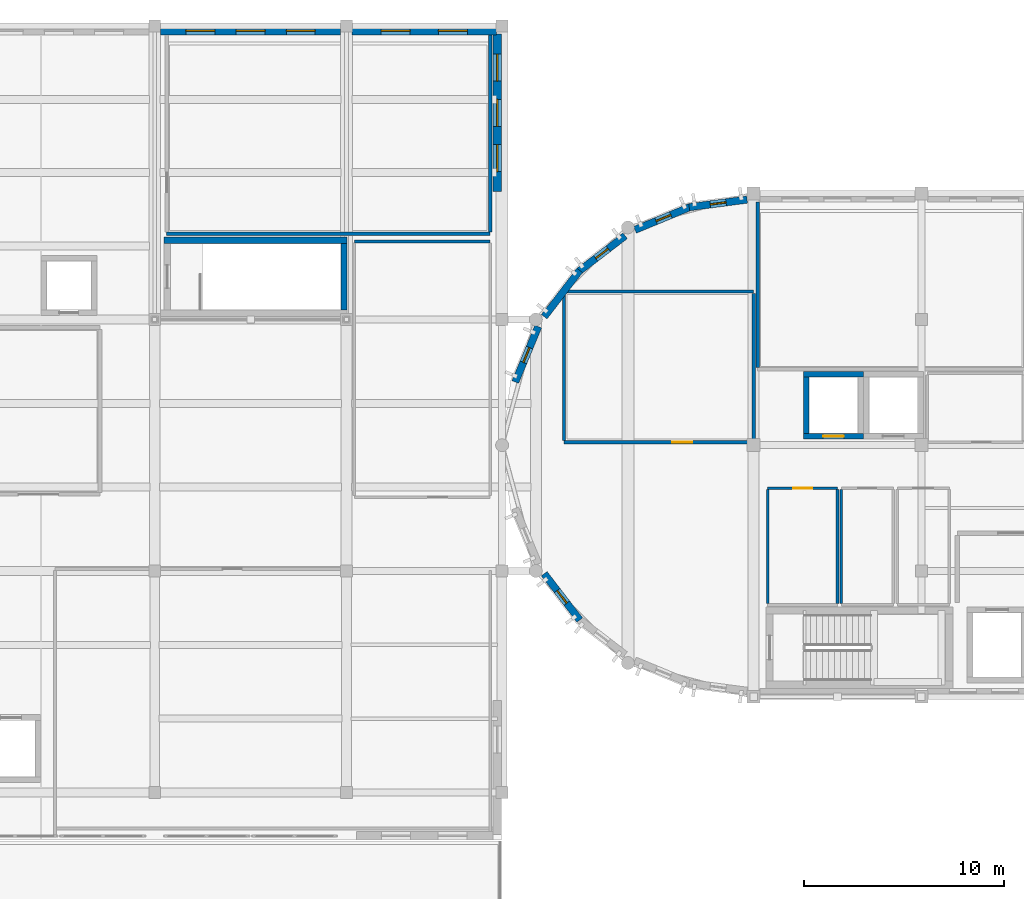
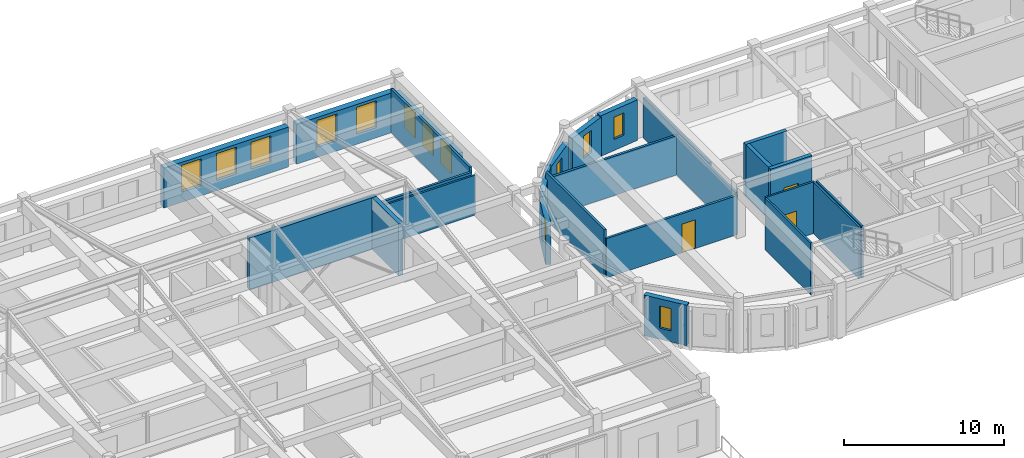
# One storey, part 16 of 29: 26 walls, 13 windows, 3 doors, 16 openings.
"""IFC4 building model written with IfcOpenShell, lengths in metres."""

from ifc_helpers import new_model, si_unit, direction, frame, frame_2d, origin, place, context, subcontext, project, spatial, rectangle, extrude, material, layer, layer_set, type_object, element, fill, save


model = new_model("IFC4")

# Units and contexts
model_context = context("Model", 3, precision=1e-05, world=origin(), true_north=direction((0.0, 1.0)))
body_context = subcontext(model_context, "Body", "Model", "MODEL_VIEW")
ifc_project = project(units=[si_unit("LENGTHUNIT", "METRE"), si_unit("AREAUNIT", "SQUARE_METRE"), si_unit("VOLUMEUNIT", "CUBIC_METRE"), si_unit("PLANEANGLEUNIT", "RADIAN"), si_unit("MASSUNIT", "GRAM", prefix="KILO")], contexts=[model_context])

# Site, building, storey
site_placement = place(None, origin())
site = spatial("IfcSite", under=ifc_project, at=site_placement, CompositionType="ELEMENT")
building_placement = place(site_placement, origin())
building = spatial("IfcBuilding", under=site, at=building_placement, Name="Tarnavel Promenade Courthouse", CompositionType="ELEMENT")
storey_placement = place(building_placement, frame((0.0, 0.0, 22.800048828125)))
storey = spatial("IfcBuildingStorey", under=building, at=storey_placement, Name="L06", CompositionType="ELEMENT", Elevation=22.800048828125)

# Walls
ifc_material_1 = material(Name="Acoustic Insulated Gypsum Stud Partition", Category="gypsum")
ifc_layer_1 = layer(ifc_material_1, 0.1650390625)
ifc_layer_set_1 = layer_set([ifc_layer_1], Name="Acoustic Insulated Gypsum Stud Partition")
wall_type_1 = type_object("IfcWallType", Name="Acoustic Insulated Gypsum Stud Partition WL-CHM-165 (165 mm)", PredefinedType="PARTITIONING", material=ifc_layer_set_1)
wall_1_placement = place(storey_placement, frame((45.60009765625, 102.39990234375, 0.0), z_axis=(0.0, 0.0, 1.0), x_axis=(-1.0, 0.0, 0.0)))
element("IfcWall", 1, at=wall_1_placement, inside=storey, type_object=wall_type_1, Name="L06 Judges' Chambers West Suite Partition 0787", PredefinedType="PARTITIONING", context=body_context, shape_type="SweptSolid", body=[
    extrude(rectangle(XDim=16.2001953125, YDim=0.1650390625, at=frame_2d((8.10009765625, 0.0))), origin(), (0.0, 0.0, 1.0), 3.050048828125),
])
wall_2_placement = place(storey_placement, frame((45.60009765625, 112.345947265625, 0.0), z_axis=(0.0, 0.0, 1.0), x_axis=(0.0, -1.0, 0.0)))
element("IfcWall", 2, at=wall_2_placement, inside=storey, type_object=wall_type_1, Name="L06 Judges' Chambers West Suite Partition 0789", PredefinedType="PARTITIONING", context=body_context, shape_type="SweptSolid", body=[
    extrude(rectangle(XDim=9.853515625, YDim=0.1650390625, at=frame_2d((4.9267578125, 0.0))), origin(), (0.0, 0.0, 1.0), 3.349853515625),
])
wall_3_placement = place(storey_placement, frame((59.0, 95.6923828125, 0.0), z_axis=(0.0, 0.0, 1.0), x_axis=(0.0, 1.0, 0.0)))
element("IfcWall", 3, at=wall_3_placement, inside=storey, type_object=wall_type_1, Name="L06 Judges' Chambers L06 Suite A Partition 0802", PredefinedType="PARTITIONING", context=body_context, shape_type="SweptSolid", body=[
    extrude(rectangle(XDim=8.28857421875, YDim=0.1650390625, at=frame_2d((4.144287109375, 0.0))), origin(), (0.0, 0.0, 1.0), 3.099853515625),
])
wall_4_placement = place(storey_placement, frame((49.300048828125, 99.5, 0.0), z_axis=(0.0, 0.0, 1.0), x_axis=(1.0, 0.0, 0.0)))
element("IfcWall", 4, at=wall_4_placement, inside=storey, type_object=wall_type_1, Name="L06 L06 West Drum Rotunda Chambers North Partition 0830", PredefinedType="PARTITIONING", context=body_context, shape_type="SweptSolid", body=[
    extrude(rectangle(XDim=9.5, YDim=0.1650390625, at=frame_2d((4.75, 0.0))), origin(), (0.0, 0.0, 1.0), 3.0),
])

# Wall, opening, door
wall_5_placement = place(storey_placement, frame((58.800048828125, 91.949951171875, 0.0), z_axis=(0.0, 0.0, 1.0), x_axis=(-1.0, 0.0, 0.0)))
wall_5 = element("IfcWall", 5, at=wall_5_placement, inside=storey, type_object=wall_type_1, Name="L06 L06 West Drum Rotunda Chambers North Partition 0831", PredefinedType="PARTITIONING", context=body_context, shape_type="SweptSolid", body=[
    extrude(rectangle(XDim=9.5, YDim=0.1650390625, at=frame_2d((4.75, 0.0))), origin(), (0.0, 0.0, 1.0), 3.0),
])
opening_1_placement = place(wall_5_placement, frame((3.0869140625, 0.0, 0.0)))
opening_1 = element("IfcOpeningElement", 6, at=opening_1_placement, cuts=wall_5, Name="Opening ID-04", PredefinedType="OPENING", context=body_context, shape_type="SweptSolid", body=[
    extrude(rectangle(XDim=0.97998046875, YDim=2.199951171875, at=frame_2d((0.489990234375, 1.10009765625))), frame((0.0, 0.092529296875, 0.0), z_axis=(0.0, -1.0, 0.0), x_axis=(1.0, 0.0, 0.0)), (0.0, 0.0, 1.0), 0.18505859375),
])
ifc_material_2 = material(Name="Solid Oak Judges Chambers Door")
door_type_1 = type_object("IfcDoorType", Name="Solid Oak Judges Chambers Door (DR-CHM-0980x2200)", OperationType="NOTDEFINED", PredefinedType="DOOR", material=ifc_material_2)
door_1_placement = place(opening_1_placement, origin())
door_1 = element("IfcDoor", 7, at=door_1_placement, inside=storey, type_object=door_type_1, Name="L06 L06 West Drum Rotunda Chambers North Door 0238", OperationType="SINGLE_SWING_LEFT", OverallHeight=2.199951171875, OverallWidth=0.97998046875, PredefinedType="DOOR", context=body_context, shape_type="SweptSolid", body=[
    extrude(rectangle(XDim=0.97998046875, YDim=2.199951171875, at=frame_2d((0.489990234375, 1.10009765625))), frame((0.0, 0.02490234375, 0.0), z_axis=(0.0, -1.0, 0.0), x_axis=(1.0, 0.0, 0.0)), (0.0, 0.0, 1.0), 0.050048828125),
])
fill(opening_1, door_1)

# Walls
wall_6_placement = place(storey_placement, frame((49.300048828125, 92.04248046875, 0.0), z_axis=(0.0, 0.0, 1.0), x_axis=(0.0, 1.0, 0.0)))
element("IfcWall", 8, at=wall_6_placement, inside=storey, type_object=wall_type_1, Name="L06 L06 West Drum Rotunda Chambers North Partition 0832", PredefinedType="PARTITIONING", context=body_context, shape_type="SweptSolid", body=[
    extrude(rectangle(XDim=7.364990234375, YDim=0.1650390625, at=frame_2d((3.6826171875, 0.0))), origin(), (0.0, 0.0, 1.0), 3.599853515625),
])
wall_7_placement = place(storey_placement, frame((58.800048828125, 99.407470703125, 0.0), z_axis=(0.0, 0.0, 1.0), x_axis=(0.0, -1.0, 0.0)))
element("IfcWall", 9, at=wall_7_placement, inside=storey, type_object=wall_type_1, Name="L06 L06 West Drum Rotunda Chambers North Partition 0833", PredefinedType="PARTITIONING", context=body_context, shape_type="SweptSolid", body=[
    extrude(rectangle(XDim=7.364990234375, YDim=0.1650390625, at=frame_2d((3.6826171875, 0.0))), origin(), (0.0, 0.0, 1.0), 3.099853515625),
])
ifc_material_3 = material(Name="Concrete C40/50", Category="concrete")
ifc_layer_2 = layer(ifc_material_3, 0.280029296875)
ifc_layer_set_2 = layer_set([ifc_layer_2], Name="Concrete C40/50")
wall_type_2 = type_object("IfcWallType", Name="Concrete C40/50 WL-SHR-280 (280 mm)", PredefinedType="SHEAR", material=ifc_layer_set_2)
wall_8_placement = place(storey_placement, frame((61.300048828125, 95.360107421875, 0.0), z_axis=(0.0, 0.0, 1.0), x_axis=(1.0, 0.0, 0.0)))
element("IfcWall", 10, at=wall_8_placement, inside=storey, type_object=wall_type_2, Name="L06 L-PUB1 Lift Shaft North Wall", PredefinedType="SHEAR", context=body_context, shape_type="SweptSolid", body=[
    extrude(rectangle(XDim=3.0, YDim=0.280029296875, at=frame_2d((1.5, 0.0))), origin(), (0.0, 0.0, 1.0), 3.969970703125),
])

# Wall, opening, door
wall_9_placement = place(storey_placement, frame((64.300048828125, 92.239990234375, 0.0), z_axis=(0.0, 0.0, 1.0), x_axis=(-1.0, 0.0, 0.0)))
wall_9 = element("IfcWall", 11, at=wall_9_placement, inside=storey, type_object=wall_type_2, Name="L06 L-PUB1 Lift Shaft South Wall", PredefinedType="SHEAR", context=body_context, shape_type="SweptSolid", body=[
    extrude(rectangle(XDim=3.0, YDim=0.280029296875, at=frame_2d((1.5, 0.0))), origin(), (0.0, 0.0, 1.0), 3.969970703125),
])
opening_2_placement = place(wall_9_placement, frame((0.97509765625, 0.0, 0.0)))
opening_2 = element("IfcOpeningElement", 12, at=opening_2_placement, cuts=wall_9, Name="Opening LD-02", PredefinedType="OPENING", context=body_context, shape_type="SweptSolid", body=[
    extrude(rectangle(XDim=1.050048828125, YDim=2.199951171875, at=frame_2d((0.52490234375, 1.10009765625))), frame((0.0, 0.14990234375, 0.0), z_axis=(0.0, -1.0, 0.0), x_axis=(1.0, 0.0, 0.0)), (0.0, 0.0, 1.0), 0.300048828125),
])
ifc_material_4 = material(Name="Brushed Bronze Passenger Lift Landing Sliding Door")
door_type_2 = type_object("IfcDoorType", Name="Brushed Bronze Passenger Lift Landing Sliding Door (LD-PUB-1050x2200)", OperationType="NOTDEFINED", PredefinedType="DOOR", material=ifc_material_4)
door_2_placement = place(opening_2_placement, origin())
door_2 = element("IfcDoor", 13, at=door_2_placement, inside=storey, type_object=door_type_2, Name="L06 L-PUB1 Lift Sliding Landing Door", OperationType="DOUBLE_DOOR_SLIDING", OverallHeight=2.199951171875, OverallWidth=1.050048828125, PredefinedType="DOOR", context=body_context, shape_type="SweptSolid", body=[
    extrude(rectangle(XDim=1.050048828125, YDim=2.199951171875, at=frame_2d((0.52490234375, 1.10009765625))), frame((0.0, 0.02490234375, 0.0), z_axis=(0.0, -1.0, 0.0), x_axis=(1.0, 0.0, 0.0)), (0.0, 0.0, 1.0), 0.050048828125),
])
fill(opening_2, door_2)

# Walls
wall_10_placement = place(storey_placement, frame((61.43994140625, 92.3798828125, 0.0), z_axis=(0.0, 0.0, 1.0), x_axis=(0.0, 1.0, 0.0)))
element("IfcWall", 14, at=wall_10_placement, inside=storey, type_object=wall_type_2, Name="L06 L-PUB1 Lift Shaft West Wall", PredefinedType="SHEAR", context=body_context, shape_type="SweptSolid", body=[
    extrude(rectangle(XDim=2.840087890625, YDim=0.280029296875, at=frame_2d((1.419921875, 0.0))), origin(), (0.0, 0.0, 1.0), 3.969970703125),
])
ifc_layer_3 = layer(ifc_material_3, 0.320068359375)
ifc_layer_set_3 = layer_set([ifc_layer_3], Name="Concrete C40/50")
wall_type_3 = type_object("IfcWallType", Name="Concrete C40/50 WL-SHR-320 (320 mm)", PredefinedType="SHEAR", material=ifc_layer_set_3)
wall_11_placement = place(storey_placement, frame((29.260009765625, 102.06005859375, 0.0), z_axis=(0.0, 0.0, 1.0), x_axis=(1.0, 0.0, 0.0)))
element("IfcWall", 15, at=wall_11_placement, inside=storey, type_object=wall_type_3, Name="L06 ST-07 Shear Core North Wall", PredefinedType="SHEAR", context=body_context, shape_type="SweptSolid", body=[
    extrude(rectangle(XDim=9.179931640625, YDim=0.320068359375, at=frame_2d((4.58984375, 0.0))), origin(), (0.0, 0.0, 1.0), 3.969970703125),
])
wall_12_placement = place(storey_placement, frame((38.280029296875, 101.89990234375, 0.0), z_axis=(0.0, 0.0, 1.0), x_axis=(0.0, -1.0, 0.0)))
element("IfcWall", 16, at=wall_12_placement, inside=storey, type_object=wall_type_3, Name="L06 ST-07 Shear Core East Wall", PredefinedType="SHEAR", context=body_context, shape_type="SweptSolid", body=[
    extrude(rectangle(XDim=3.31982421875, YDim=0.320068359375, at=frame_2d((1.659912109375, 0.0))), origin(), (0.0, 0.0, 1.0), 3.969970703125),
])

# Wall, openings, windows
ifc_material_5 = material(Name="Limestone Ashlar Faced Insulated Brick Masonry", Category="masonry")
ifc_layer_4 = layer(ifc_material_5, 0.43994140625)
ifc_layer_set_4 = layer_set([ifc_layer_4], Name="Limestone Ashlar Faced Insulated Brick Masonry")
wall_type_4 = type_object("IfcWallType", Name="Limestone Ashlar Faced Insulated Brick Masonry WL-EXT-440 (440 mm)", PredefinedType="STANDARD", material=ifc_layer_set_4)
wall_13_placement = place(storey_placement, frame((29.092041015625, 112.56005859375, 0.0), z_axis=(0.0, 0.0, 1.0), x_axis=(1.0, 0.0, 0.0)))
wall_13 = element("IfcWall", 17, at=wall_13_placement, inside=storey, type_object=wall_type_4, Name="L06 Trial Wing North Ashlar Facade 0330", PredefinedType="STANDARD", context=body_context, shape_type="SweptSolid", body=[
    extrude(rectangle(XDim=9.015869140625, YDim=0.43994140625, at=frame_2d((4.5078125, 0.0))), origin(), (0.0, 0.0, 1.0), 3.050048828125),
])
opening_3_placement = place(wall_13_placement, frame((1.269775390625, 0.0, 0.780029296875)))
opening_3 = element("IfcOpeningElement", 18, at=opening_3_placement, cuts=wall_13, Name="Opening W-03", PredefinedType="OPENING", context=body_context, shape_type="SweptSolid", body=[
    extrude(rectangle(XDim=1.449951171875, YDim=2.050048828125, at=frame_2d((0.72509765625, 1.02490234375))), frame((0.0, 0.22998046875, 0.0), z_axis=(0.0, -1.0, 0.0), x_axis=(1.0, 0.0, 0.0)), (0.0, 0.0, 1.0), 0.4599609375),
])
opening_4_placement = place(wall_13_placement, frame((3.782958984375, 0.0, 0.780029296875)))
opening_4 = element("IfcOpeningElement", 19, at=opening_4_placement, cuts=wall_13, Name="Opening W-03", PredefinedType="OPENING", context=body_context, shape_type="SweptSolid", body=[
    extrude(rectangle(XDim=1.449951171875, YDim=2.050048828125, at=frame_2d((0.72509765625, 1.02490234375))), frame((0.0, 0.22998046875, 0.0), z_axis=(0.0, -1.0, 0.0), x_axis=(1.0, 0.0, 0.0)), (0.0, 0.0, 1.0), 0.4599609375),
])
opening_5_placement = place(wall_13_placement, frame((6.29638671875, 0.0, 0.780029296875)))
opening_5 = element("IfcOpeningElement", 20, at=opening_5_placement, cuts=wall_13, Name="Opening W-03", PredefinedType="OPENING", context=body_context, shape_type="SweptSolid", body=[
    extrude(rectangle(XDim=1.449951171875, YDim=2.050048828125, at=frame_2d((0.72509765625, 1.02490234375))), frame((0.0, 0.22998046875, 0.0), z_axis=(0.0, -1.0, 0.0), x_axis=(1.0, 0.0, 0.0)), (0.0, 0.0, 1.0), 0.4599609375),
])
ifc_material_6 = material(Name="Triple Low-E Glazed Bronze-Clad Window Assembly")
window_type_1 = type_object("IfcWindowType", Name="Triple-Glazed Bronze-Clad Timber-Aluminium WIN-APP-1450x2050", PartitioningType="SINGLE_PANEL", PredefinedType="WINDOW", material=ifc_material_6)
window_1_placement = place(opening_3_placement, origin())
window_1 = element("IfcWindow", 21, at=window_1_placement, inside=storey, type_object=window_type_1, Name="L06 Exterior Window 0371", OverallHeight=2.050048828125, OverallWidth=1.449951171875, PartitioningType="SINGLE_PANEL", PredefinedType="WINDOW", context=body_context, shape_type="SweptSolid", body=[
    extrude(rectangle(XDim=1.449951171875, YDim=2.050048828125, at=frame_2d((0.72509765625, 1.02490234375))), frame((0.0, 0.030029296875, 0.0), z_axis=(0.0, -1.0, 0.0), x_axis=(1.0, 0.0, 0.0)), (0.0, 0.0, 1.0), 0.06005859375),
])
fill(opening_3, window_1)
window_2_placement = place(opening_4_placement, origin())
window_2 = element("IfcWindow", 22, at=window_2_placement, inside=storey, type_object=window_type_1, Name="L06 Exterior Window 0372", OverallHeight=2.050048828125, OverallWidth=1.449951171875, PartitioningType="SINGLE_PANEL", PredefinedType="WINDOW", context=body_context, shape_type="SweptSolid", body=[
    extrude(rectangle(XDim=1.449951171875, YDim=2.050048828125, at=frame_2d((0.72509765625, 1.02490234375))), frame((0.0, 0.030029296875, 0.0), z_axis=(0.0, -1.0, 0.0), x_axis=(1.0, 0.0, 0.0)), (0.0, 0.0, 1.0), 0.06005859375),
])
fill(opening_4, window_2)
window_3_placement = place(opening_5_placement, origin())
window_3 = element("IfcWindow", 23, at=window_3_placement, inside=storey, type_object=window_type_1, Name="L06 Exterior Window 0373", OverallHeight=2.050048828125, OverallWidth=1.449951171875, PartitioningType="SINGLE_PANEL", PredefinedType="WINDOW", context=body_context, shape_type="SweptSolid", body=[
    extrude(rectangle(XDim=1.449951171875, YDim=2.050048828125, at=frame_2d((0.72509765625, 1.02490234375))), frame((0.0, 0.030029296875, 0.0), z_axis=(0.0, -1.0, 0.0), x_axis=(1.0, 0.0, 0.0)), (0.0, 0.0, 1.0), 0.06005859375),
])
fill(opening_5, window_3)

wall_14_placement = place(storey_placement, frame((38.68701171875, 112.56005859375, 0.0), z_axis=(0.0, 0.0, 1.0), x_axis=(1.0, 0.0, 0.0)))
wall_14 = element("IfcWall", 24, at=wall_14_placement, inside=storey, type_object=wall_type_4, Name="L06 Trial Wing North Ashlar Facade 0331", PredefinedType="STANDARD", context=body_context, shape_type="SweptSolid", body=[
    extrude(rectangle(XDim=7.22607421875, YDim=0.43994140625, at=frame_2d((3.613037109375, 0.0))), origin(), (0.0, 0.0, 1.0), 3.050048828125),
])
opening_6_placement = place(wall_14_placement, frame((1.452880859375, 0.0, 0.780029296875)))
opening_6 = element("IfcOpeningElement", 25, at=opening_6_placement, cuts=wall_14, Name="Opening W-03", PredefinedType="OPENING", context=body_context, shape_type="SweptSolid", body=[
    extrude(rectangle(XDim=1.449951171875, YDim=2.050048828125, at=frame_2d((0.72509765625, 1.02490234375))), frame((0.0, 0.22998046875, 0.0), z_axis=(0.0, -1.0, 0.0), x_axis=(1.0, 0.0, 0.0)), (0.0, 0.0, 1.0), 0.4599609375),
])
opening_7_placement = place(wall_14_placement, frame((4.322998046875, 0.0, 0.780029296875)))
opening_7 = element("IfcOpeningElement", 26, at=opening_7_placement, cuts=wall_14, Name="Opening W-03", PredefinedType="OPENING", context=body_context, shape_type="SweptSolid", body=[
    extrude(rectangle(XDim=1.449951171875, YDim=2.050048828125, at=frame_2d((0.72509765625, 1.02490234375))), frame((0.0, 0.22998046875, 0.0), z_axis=(0.0, -1.0, 0.0), x_axis=(1.0, 0.0, 0.0)), (0.0, 0.0, 1.0), 0.4599609375),
])
window_4_placement = place(opening_6_placement, origin())
window_4 = element("IfcWindow", 27, at=window_4_placement, inside=storey, type_object=window_type_1, Name="L06 Exterior Window 0374", OverallHeight=2.050048828125, OverallWidth=1.449951171875, PartitioningType="SINGLE_PANEL", PredefinedType="WINDOW", context=body_context, shape_type="SweptSolid", body=[
    extrude(rectangle(XDim=1.449951171875, YDim=2.050048828125, at=frame_2d((0.72509765625, 1.02490234375))), frame((0.0, 0.030029296875, 0.0), z_axis=(0.0, -1.0, 0.0), x_axis=(1.0, 0.0, 0.0)), (0.0, 0.0, 1.0), 0.06005859375),
])
fill(opening_6, window_4)
window_5_placement = place(opening_7_placement, origin())
window_5 = element("IfcWindow", 28, at=window_5_placement, inside=storey, type_object=window_type_1, Name="L06 Exterior Window 0375", OverallHeight=2.050048828125, OverallWidth=1.449951171875, PartitioningType="SINGLE_PANEL", PredefinedType="WINDOW", context=body_context, shape_type="SweptSolid", body=[
    extrude(rectangle(XDim=1.449951171875, YDim=2.050048828125, at=frame_2d((0.72509765625, 1.02490234375))), frame((0.0, 0.030029296875, 0.0), z_axis=(0.0, -1.0, 0.0), x_axis=(1.0, 0.0, 0.0)), (0.0, 0.0, 1.0), 0.06005859375),
])
fill(opening_7, window_5)

wall_15_placement = place(storey_placement, frame((45.9599609375, 104.5, 0.0), z_axis=(0.0, 0.0, 1.0), x_axis=(0.0, 1.0, 0.0)))
wall_15 = element("IfcWall", 29, at=wall_15_placement, inside=storey, type_object=wall_type_4, Name="L06 L06 Trial Wing North-East Stepback Wall 0450", PredefinedType="STANDARD", context=body_context, shape_type="SweptSolid", body=[
    extrude(rectangle(XDim=7.89990234375, YDim=0.43994140625, at=frame_2d((3.949951171875, 0.0))), origin(), (0.0, 0.0, 1.0), 3.050048828125),
])
opening_8_placement = place(wall_15_placement, frame((1.00830078125, 0.0, 0.85009765625)))
opening_8 = element("IfcOpeningElement", 30, at=opening_8_placement, cuts=wall_15, Name="Opening W-04", PredefinedType="OPENING", context=body_context, shape_type="SweptSolid", body=[
    extrude(rectangle(XDim=1.35009765625, YDim=1.949951171875, at=frame_2d((0.675048828125, 0.97509765625))), frame((0.0, 0.22998046875, 0.0), z_axis=(0.0, -1.0, 0.0), x_axis=(1.0, 0.0, 0.0)), (0.0, 0.0, 1.0), 0.4599609375),
])
opening_9_placement = place(wall_15_placement, frame((3.27490234375, 0.0, 0.85009765625)))
opening_9 = element("IfcOpeningElement", 31, at=opening_9_placement, cuts=wall_15, Name="Opening W-04", PredefinedType="OPENING", context=body_context, shape_type="SweptSolid", body=[
    extrude(rectangle(XDim=1.35009765625, YDim=1.949951171875, at=frame_2d((0.675048828125, 0.97509765625))), frame((0.0, 0.22998046875, 0.0), z_axis=(0.0, -1.0, 0.0), x_axis=(1.0, 0.0, 0.0)), (0.0, 0.0, 1.0), 0.4599609375),
])
opening_10_placement = place(wall_15_placement, frame((5.541748046875, 0.0, 0.85009765625)))
opening_10 = element("IfcOpeningElement", 32, at=opening_10_placement, cuts=wall_15, Name="Opening W-04", PredefinedType="OPENING", context=body_context, shape_type="SweptSolid", body=[
    extrude(rectangle(XDim=1.35009765625, YDim=1.949951171875, at=frame_2d((0.675048828125, 0.97509765625))), frame((0.0, 0.22998046875, 0.0), z_axis=(0.0, -1.0, 0.0), x_axis=(1.0, 0.0, 0.0)), (0.0, 0.0, 1.0), 0.4599609375),
])
window_type_2 = type_object("IfcWindowType", Name="Triple-Glazed Bronze-Clad Timber-Aluminium WIN-CHM-1350x1950", PartitioningType="SINGLE_PANEL", PredefinedType="WINDOW", material=ifc_material_6)
window_6_placement = place(opening_8_placement, origin())
window_6 = element("IfcWindow", 33, at=window_6_placement, inside=storey, type_object=window_type_2, Name="L06 Exterior Window 0576", OverallHeight=1.949951171875, OverallWidth=1.35009765625, PartitioningType="SINGLE_PANEL", PredefinedType="WINDOW", context=body_context, shape_type="SweptSolid", body=[
    extrude(rectangle(XDim=1.35009765625, YDim=1.949951171875, at=frame_2d((0.675048828125, 0.97509765625))), frame((0.0, 0.030029296875, 0.0), z_axis=(0.0, -1.0, 0.0), x_axis=(1.0, 0.0, 0.0)), (0.0, 0.0, 1.0), 0.06005859375),
])
fill(opening_8, window_6)
window_7_placement = place(opening_9_placement, origin())
window_7 = element("IfcWindow", 34, at=window_7_placement, inside=storey, type_object=window_type_2, Name="L06 Exterior Window 0577", OverallHeight=1.949951171875, OverallWidth=1.35009765625, PartitioningType="SINGLE_PANEL", PredefinedType="WINDOW", context=body_context, shape_type="SweptSolid", body=[
    extrude(rectangle(XDim=1.35009765625, YDim=1.949951171875, at=frame_2d((0.675048828125, 0.97509765625))), frame((0.0, 0.030029296875, 0.0), z_axis=(0.0, -1.0, 0.0), x_axis=(1.0, 0.0, 0.0)), (0.0, 0.0, 1.0), 0.06005859375),
])
fill(opening_9, window_7)
window_8_placement = place(opening_10_placement, origin())
window_8 = element("IfcWindow", 35, at=window_8_placement, inside=storey, type_object=window_type_2, Name="L06 Exterior Window 0578", OverallHeight=1.949951171875, OverallWidth=1.35009765625, PartitioningType="SINGLE_PANEL", PredefinedType="WINDOW", context=body_context, shape_type="SweptSolid", body=[
    extrude(rectangle(XDim=1.35009765625, YDim=1.949951171875, at=frame_2d((0.675048828125, 0.97509765625))), frame((0.0, 0.030029296875, 0.0), z_axis=(0.0, -1.0, 0.0), x_axis=(1.0, 0.0, 0.0)), (0.0, 0.0, 1.0), 0.06005859375),
])
fill(opening_10, window_8)

# Wall, opening, door
ifc_material_7 = material(Name="Metal-Stud Acoustic Gypsum Partition", Category="gypsum")
ifc_layer_5 = layer(ifc_material_7, 0.135009765625)
ifc_layer_set_5 = layer_set([ifc_layer_5], Name="Metal-Stud Acoustic Gypsum Partition")
wall_type_5 = type_object("IfcWallType", Name="Metal-Stud Acoustic Gypsum Partition WL-OFF-135 (135 mm)", PredefinedType="PARTITIONING", material=ifc_layer_set_5)
wall_16_placement = place(storey_placement, frame((59.5, 89.64990234375, 0.0), z_axis=(0.0, 0.0, 1.0), x_axis=(1.0, 0.0, 0.0)))
wall_16 = element("IfcWall", 36, at=wall_16_placement, inside=storey, type_object=wall_type_5, Name="L06 L06 Bailiffs' Duty Room Partition 0773", PredefinedType="PARTITIONING", context=body_context, shape_type="SweptSolid", body=[
    extrude(rectangle(XDim=3.5, YDim=0.135009765625, at=frame_2d((1.75, 0.0))), origin(), (0.0, 0.0, 1.0), 3.954833984375),
])
opening_11_placement = place(wall_16_placement, frame((1.27490234375, 0.0, 0.0)))
opening_11 = element("IfcOpeningElement", 37, at=opening_11_placement, cuts=wall_16, Name="Opening ID-06", PredefinedType="OPENING", context=body_context, shape_type="SweptSolid", body=[
    extrude(rectangle(XDim=0.949951171875, YDim=2.14990234375, at=frame_2d((0.47509765625, 1.074951171875))), frame((0.0, 0.077392578125, 0.0), z_axis=(0.0, -1.0, 0.0), x_axis=(1.0, 0.0, 0.0)), (0.0, 0.0, 1.0), 0.155029296875),
])
ifc_material_8 = material(Name="Acoustic Timber Veneer Office Door", Category="wood")
door_type_3 = type_object("IfcDoorType", Name="Acoustic Timber Veneer Office Door (DR-OFF-0950x2150)", OperationType="NOTDEFINED", PredefinedType="DOOR", material=ifc_material_8)
door_3_placement = place(opening_11_placement, origin())
door_3 = element("IfcDoor", 38, at=door_3_placement, inside=storey, type_object=door_type_3, Name="L06 L06 Bailiffs' Duty Room Door 0221", OperationType="SINGLE_SWING_RIGHT", OverallHeight=2.14990234375, OverallWidth=0.949951171875, PredefinedType="DOOR", context=body_context, shape_type="SweptSolid", body=[
    extrude(rectangle(XDim=0.949951171875, YDim=2.14990234375, at=frame_2d((0.47509765625, 1.074951171875))), frame((0.0, 0.02490234375, 0.0), z_axis=(0.0, -1.0, 0.0), x_axis=(1.0, 0.0, 0.0)), (0.0, 0.0, 1.0), 0.050048828125),
])
fill(opening_11, door_3)

# Walls
for number, where, z_axis, x_axis, name in (
    (39, (59.5, 83.87744140625, 0.0), (0.0, 0.0, 1.0), (0.0, 1.0, 0.0), "L06 L06 Bailiffs' Duty Room Partition 0775"),
    (40, (63.0, 89.572509765625, 0.0), (0.0, 0.0, 1.0), (0.0, -1.0, 0.0), "L06 L06 Bailiffs' Duty Room Partition 0776"),
):
    element("IfcWall", number, at=place(storey_placement, frame(where, z_axis=z_axis, x_axis=x_axis)), inside=storey, type_object=wall_type_5, Name=name, PredefinedType="PARTITIONING", context=body_context, shape_type="SweptSolid", body=[
        extrude(rectangle(XDim=5.695068359375, YDim=0.135009765625, at=frame_2d((2.84765625, 0.0))), origin(), (0.0, 0.0, 1.0), 3.954833984375),
    ])
wall_17_placement = place(storey_placement, frame((38.800048828125, 102.0, 0.0), z_axis=(0.0, 0.0, 1.0), x_axis=(1.0, 0.0, 0.0)))
element("IfcWall", 41, at=wall_17_placement, inside=storey, type_object=wall_type_5, Name="L06 L06 Witness Waiting Room Partition 0790", PredefinedType="PARTITIONING", context=body_context, shape_type="SweptSolid", body=[
    extrude(rectangle(XDim=6.800048828125, YDim=0.135009765625, at=frame_2d((3.39990234375, 0.0))), origin(), (0.0, 0.0, 1.0), 3.050048828125),
])
ifc_material_9 = material(Name="Moisture-Resistant Tile-Backed Stud Partition", Category="gypsum")
ifc_layer_6 = layer(ifc_material_9, 0.125)
ifc_layer_set_6 = layer_set([ifc_layer_6], Name="Moisture-Resistant Tile-Backed Stud Partition")
wall_type_6 = type_object("IfcWallType", Name="Moisture-Resistant Tile-Backed Stud Partition WL-WET-125 (125 mm)", PredefinedType="PARTITIONING", material=ifc_layer_set_6)
wall_18_placement = place(storey_placement, frame((63.199951171875, 83.87255859375, 0.0), z_axis=(0.0, 0.0, 1.0), x_axis=(0.0, 1.0, 0.0)))
element("IfcWall", 42, at=wall_18_placement, inside=storey, type_object=wall_type_6, Name="L06 Public WC Partition 0759", PredefinedType="PARTITIONING", context=body_context, shape_type="SweptSolid", body=[
    extrude(rectangle(XDim=5.704833984375, YDim=0.125, at=frame_2d((2.8525390625, 0.0))), origin(), (0.0, 0.0, 1.0), 3.954833984375),
])

# Wall, opening, window
ifc_material_10 = material(Name="Patinated Copper-Bronze Insulated Drum Wall Assembly", Category="masonry")
ifc_layer_7 = layer(ifc_material_10, 0.364990234375)
ifc_layer_set_7 = layer_set([ifc_layer_7], Name="Patinated Copper-Bronze Insulated Drum Wall Assembly")
wall_type_7 = type_object("IfcWallType", Name="Patinated Copper-Bronze Insulated Drum Wall Assembly WL-DRUM-365 (365 mm)", PredefinedType="ELEMENTEDWALL", material=ifc_layer_set_7)
wall_19_placement = place(storey_placement, frame((58.470703125, 104.1044921875, 0.0), z_axis=(0.0, 0.0, 1.0), x_axis=(-0.99144889538, -0.13049554724, 0.0)))
wall_19 = element("IfcWall", 43, at=wall_19_placement, inside=storey, type_object=wall_type_7, Name="L06 W Copper Drum Chord Wall 01 0148", PredefinedType="ELEMENTEDWALL", context=body_context, shape_type="SweptSolid", body=[
    extrude(rectangle(XDim=2.924072265625, YDim=0.364990234375, at=frame_2d((1.4619140625, 0.0))), origin(), (0.0, 0.0, 1.0), 3.099853515625),
])
opening_12_placement = place(wall_19_placement, frame((1.06201171875, 0.0, 0.85009765625)))
opening_12 = element("IfcOpeningElement", 44, at=opening_12_placement, cuts=wall_19, Name="Opening W-09", PredefinedType="OPENING", context=body_context, shape_type="SweptSolid", body=[
    extrude(rectangle(XDim=0.800048828125, YDim=1.699951171875, at=frame_2d((0.39990234375, 0.85009765625))), frame((0.0, 0.1923828125, 0.0), z_axis=(0.0, -1.0, 0.0), x_axis=(1.0, 0.0, 0.0)), (0.0, 0.0, 1.0), 0.385009765625),
])
window_type_3 = type_object("IfcWindowType", Name="Triple-Glazed Bronze-Clad Timber-Aluminium WIN-DRM-0800x1700", PartitioningType="SINGLE_PANEL", PredefinedType="WINDOW", material=ifc_material_6)
window_9_placement = place(opening_12_placement, origin())
window_9 = element("IfcWindow", 45, at=window_9_placement, inside=storey, type_object=window_type_3, Name="L06 Exterior Window 0116", OverallHeight=1.699951171875, OverallWidth=0.800048828125, PartitioningType="SINGLE_PANEL", PredefinedType="WINDOW", context=body_context, shape_type="SweptSolid", body=[
    extrude(rectangle(XDim=0.800048828125, YDim=1.699951171875, at=frame_2d((0.39990234375, 0.85009765625))), frame((0.0, 0.030029296875, 0.0), z_axis=(0.0, -1.0, 0.0), x_axis=(1.0, 0.0, 0.0)), (0.0, 0.0, 1.0), 0.06005859375),
])
fill(opening_12, window_9)

wall_20_placement = place(storey_placement, frame((55.634521484375, 103.73974609375, 0.0), z_axis=(0.0, 0.0, 1.0), x_axis=(-0.923872366395, -0.382700732442, 0.0)))
wall_20 = element("IfcWall", 46, at=wall_20_placement, inside=storey, type_object=wall_type_7, Name="L06 W Copper Drum Chord Wall 02 0149", PredefinedType="ELEMENTEDWALL", context=body_context, shape_type="SweptSolid", body=[
    extrude(rectangle(XDim=3.00732421875, YDim=0.364990234375, at=frame_2d((1.503662109375, 0.0))), origin(), (0.0, 0.0, 1.0), 3.0),
])
opening_13_placement = place(wall_20_placement, frame((1.06201171875, 0.0, 0.85009765625)))
opening_13 = element("IfcOpeningElement", 47, at=opening_13_placement, cuts=wall_20, Name="Opening W-09", PredefinedType="OPENING", context=body_context, shape_type="SweptSolid", body=[
    extrude(rectangle(XDim=0.800048828125, YDim=1.699951171875, at=frame_2d((0.39990234375, 0.85009765625))), frame((0.0, 0.1923828125, 0.0), z_axis=(0.0, -1.0, 0.0), x_axis=(1.0, 0.0, 0.0)), (0.0, 0.0, 1.0), 0.385009765625),
])
window_10_placement = place(opening_13_placement, origin())
window_10 = element("IfcWindow", 48, at=window_10_placement, inside=storey, type_object=window_type_3, Name="L06 Exterior Window 0117", OverallHeight=1.699951171875, OverallWidth=0.800048828125, PartitioningType="SINGLE_PANEL", PredefinedType="WINDOW", context=body_context, shape_type="SweptSolid", body=[
    extrude(rectangle(XDim=0.800048828125, YDim=1.699951171875, at=frame_2d((0.39990234375, 0.85009765625))), frame((0.0, 0.030029296875, 0.0), z_axis=(0.0, -1.0, 0.0), x_axis=(1.0, 0.0, 0.0)), (0.0, 0.0, 1.0), 0.06005859375),
])
fill(opening_13, window_10)

wall_21_placement = place(storey_placement, frame((52.362548828125, 102.29150390625, 0.0), z_axis=(0.0, 0.0, 1.0), x_axis=(-0.793318703663, -0.608806565682, 0.0)))
wall_21 = element("IfcWall", 49, at=wall_21_placement, inside=storey, type_object=wall_type_7, Name="L06 W Copper Drum Chord Wall 03 0150", PredefinedType="ELEMENTEDWALL", context=body_context, shape_type="SweptSolid", body=[
    extrude(rectangle(XDim=2.92431640625, YDim=0.364990234375, at=frame_2d((1.462158203125, 0.0))), origin(), (0.0, 0.0, 1.0), 3.0),
])
opening_14_placement = place(wall_21_placement, frame((1.06201171875, 0.0, 0.85009765625)))
opening_14 = element("IfcOpeningElement", 50, at=opening_14_placement, cuts=wall_21, Name="Opening W-09", PredefinedType="OPENING", context=body_context, shape_type="SweptSolid", body=[
    extrude(rectangle(XDim=0.800048828125, YDim=1.699951171875, at=frame_2d((0.39990234375, 0.85009765625))), frame((0.0, 0.1923828125, 0.0), z_axis=(0.0, -1.0, 0.0), x_axis=(1.0, 0.0, 0.0)), (0.0, 0.0, 1.0), 0.385009765625),
])
window_11_placement = place(opening_14_placement, origin())
window_11 = element("IfcWindow", 51, at=window_11_placement, inside=storey, type_object=window_type_3, Name="L06 Exterior Window 0118", OverallHeight=1.699951171875, OverallWidth=0.800048828125, PartitioningType="SINGLE_PANEL", PredefinedType="WINDOW", context=body_context, shape_type="SweptSolid", body=[
    extrude(rectangle(XDim=0.800048828125, YDim=1.699951171875, at=frame_2d((0.39990234375, 0.85009765625))), frame((0.0, 0.030029296875, 0.0), z_axis=(0.0, -1.0, 0.0), x_axis=(1.0, 0.0, 0.0)), (0.0, 0.0, 1.0), 0.06005859375),
])
fill(opening_14, window_11)

# Wall
wall_22_placement = place(storey_placement, frame((50.0888671875, 100.557373046875, 0.0), z_axis=(0.0, 0.0, 1.0), x_axis=(-0.60876624393, -0.793349645649, 0.0)))
element("IfcWall", 52, at=wall_22_placement, inside=storey, type_object=wall_type_7, Name="L06 W Copper Drum Chord Wall 04 0151", PredefinedType="ELEMENTEDWALL", context=body_context, shape_type="SweptSolid", body=[
    extrude(rectangle(XDim=2.92431640625, YDim=0.364990234375, at=frame_2d((1.462158203125, 0.0))), origin(), (0.0, 0.0, 1.0), 3.099853515625),
])

# Wall, opening, window
wall_23_placement = place(storey_placement, frame((48.01123046875, 97.743896484375, 0.0), z_axis=(0.0, 0.0, 1.0), x_axis=(-0.382700732442, -0.923872366395, 0.0)))
wall_23 = element("IfcWall", 53, at=wall_23_placement, inside=storey, type_object=wall_type_7, Name="L06 W Copper Drum Chord Wall 05 0152", PredefinedType="ELEMENTEDWALL", context=body_context, shape_type="SweptSolid", body=[
    extrude(rectangle(XDim=3.00732421875, YDim=0.364990234375, at=frame_2d((1.503662109375, 0.0))), origin(), (0.0, 0.0, 1.0), 3.099853515625),
])
opening_15_placement = place(wall_23_placement, frame((1.14501953125, 0.0, 0.85009765625)))
opening_15 = element("IfcOpeningElement", 54, at=opening_15_placement, cuts=wall_23, Name="Opening W-09", PredefinedType="OPENING", context=body_context, shape_type="SweptSolid", body=[
    extrude(rectangle(XDim=0.800048828125, YDim=1.699951171875, at=frame_2d((0.39990234375, 0.85009765625))), frame((0.0, 0.1923828125, 0.0), z_axis=(0.0, -1.0, 0.0), x_axis=(1.0, 0.0, 0.0)), (0.0, 0.0, 1.0), 0.385009765625),
])
window_12_placement = place(opening_15_placement, origin())
window_12 = element("IfcWindow", 55, at=window_12_placement, inside=storey, type_object=window_type_3, Name="L06 Exterior Window 0119", OverallHeight=1.699951171875, OverallWidth=0.800048828125, PartitioningType="SINGLE_PANEL", PredefinedType="WINDOW", context=body_context, shape_type="SweptSolid", body=[
    extrude(rectangle(XDim=0.800048828125, YDim=1.699951171875, at=frame_2d((0.39990234375, 0.85009765625))), frame((0.0, 0.030029296875, 0.0), z_axis=(0.0, -1.0, 0.0), x_axis=(1.0, 0.0, 0.0)), (0.0, 0.0, 1.0), 0.06005859375),
])
fill(opening_15, window_12)

wall_24_placement = place(storey_placement, frame((48.30859375, 85.362548828125, 0.0), z_axis=(0.0, 0.0, 1.0), x_axis=(0.60876624393, -0.793349645649, 0.0)))
wall_24 = element("IfcWall", 56, at=wall_24_placement, inside=storey, type_object=wall_type_7, Name="L06 W Copper Drum Chord Wall 09 0154", PredefinedType="ELEMENTEDWALL", context=body_context, shape_type="SweptSolid", body=[
    extrude(rectangle(XDim=2.92431640625, YDim=0.364990234375, at=frame_2d((1.462158203125, 0.0))), origin(), (0.0, 0.0, 1.0), 3.099853515625),
])
opening_16_placement = place(wall_24_placement, frame((1.06201171875, 0.0, 0.85009765625)))
opening_16 = element("IfcOpeningElement", 57, at=opening_16_placement, cuts=wall_24, Name="Opening W-09", PredefinedType="OPENING", context=body_context, shape_type="SweptSolid", body=[
    extrude(rectangle(XDim=0.800048828125, YDim=1.699951171875, at=frame_2d((0.39990234375, 0.85009765625))), frame((0.0, 0.1923828125, 0.0), z_axis=(0.0, -1.0, 0.0), x_axis=(1.0, 0.0, 0.0)), (0.0, 0.0, 1.0), 0.385009765625),
])
window_13_placement = place(opening_16_placement, origin())
window_13 = element("IfcWindow", 58, at=window_13_placement, inside=storey, type_object=window_type_3, Name="L06 Exterior Window 0121", OverallHeight=1.699951171875, OverallWidth=0.800048828125, PartitioningType="SINGLE_PANEL", PredefinedType="WINDOW", context=body_context, shape_type="SweptSolid", body=[
    extrude(rectangle(XDim=0.800048828125, YDim=1.699951171875, at=frame_2d((0.39990234375, 0.85009765625))), frame((0.0, 0.030029296875, 0.0), z_axis=(0.0, -1.0, 0.0), x_axis=(1.0, 0.0, 0.0)), (0.0, 0.0, 1.0), 0.06005859375),
])
fill(opening_16, window_13)

save(model, "model.ifc")
